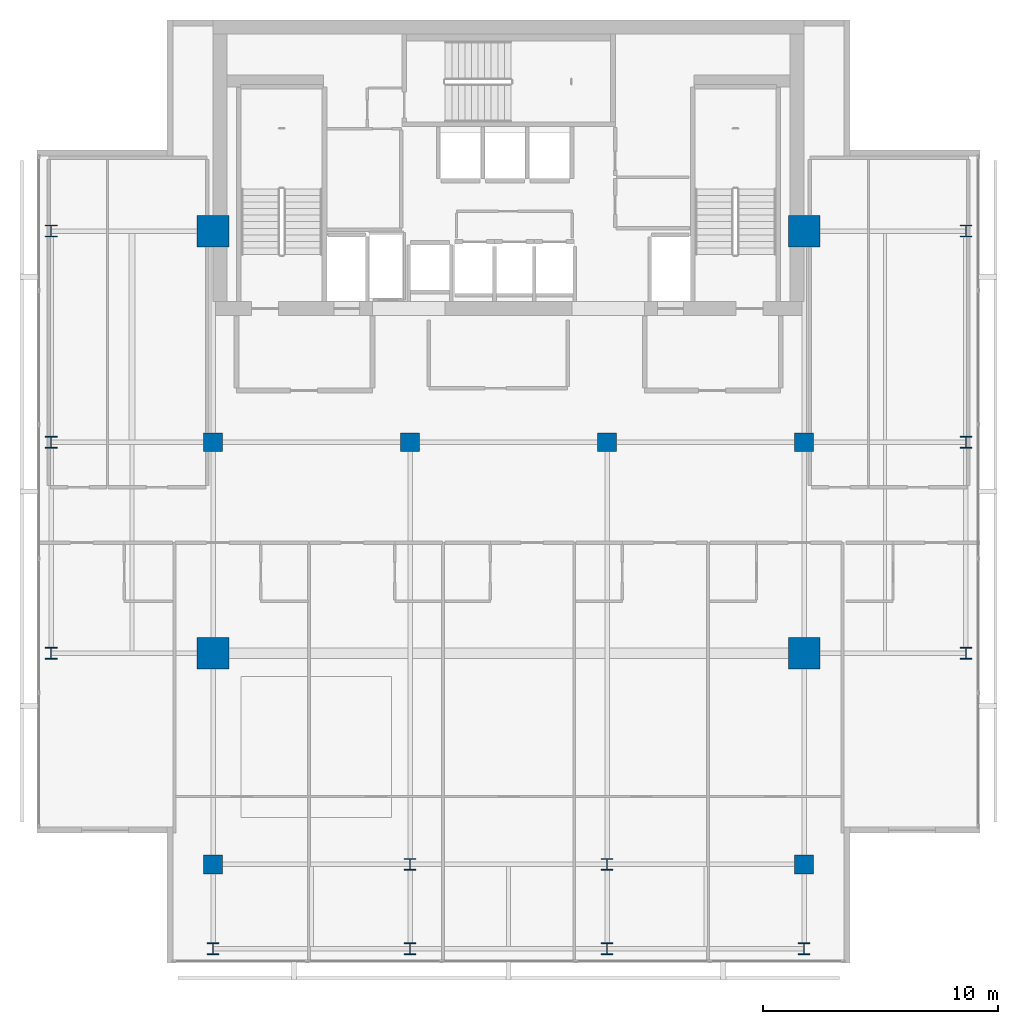
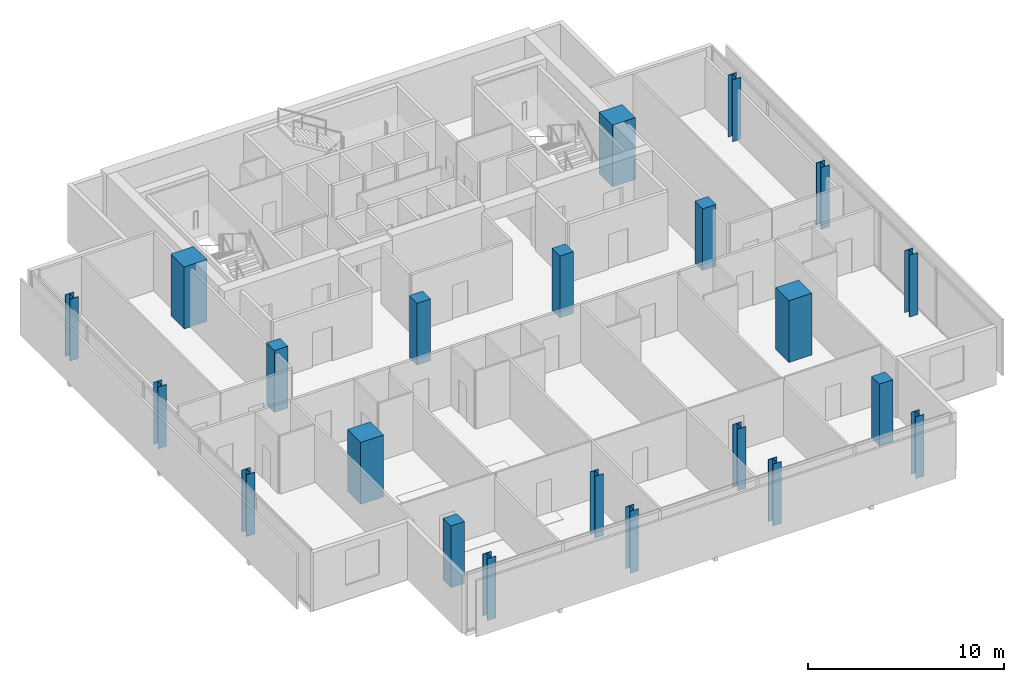
# One storey, part 1 of 24: 22 columns.
"""IFC4 building model written with IfcOpenShell, lengths in metres."""

from ifc_helpers import new_model, si_unit, direction, frame, origin, origin_2d, place, context, subcontext, project, spatial, rectangle, i_section, extrude, material, material_profile, profile_set, type_object, element, save


model = new_model("IFC4")

# Units and contexts
model_context = context("Model", 3, precision=1e-05, world=origin(), true_north=direction((0.0, 1.0)))
body_context = subcontext(model_context, "Body", "Model", "MODEL_VIEW")
ifc_project = project(units=[si_unit("LENGTHUNIT", "METRE"), si_unit("AREAUNIT", "SQUARE_METRE"), si_unit("VOLUMEUNIT", "CUBIC_METRE"), si_unit("PLANEANGLEUNIT", "RADIAN"), si_unit("MASSUNIT", "GRAM", prefix="KILO")], contexts=[model_context])

# Site, building, storey
site_placement = place(None, origin())
site = spatial("IfcSite", under=ifc_project, at=site_placement, CompositionType="ELEMENT")
building_placement = place(site_placement, origin())
building = spatial("IfcBuilding", under=site, at=building_placement, Name="Maruvema Waterfront Hotel and Observation Tower", CompositionType="ELEMENT")
storey_placement = place(building_placement, frame((0.0, 0.0, 329.699951171875)))
storey = spatial("IfcBuildingStorey", under=building, at=storey_placement, Name="L81", CompositionType="ELEMENT", Elevation=329.699951171875)

# Columns
ifc_material_1 = material(Name="Concrete C70/85", Category="concrete")
ifc_material_profile_1 = material_profile(ifc_material_1, rectangle(XDim=1.35009765625, YDim=1.35009765625, at=origin_2d()), Name="MC1350x1350")
ifc_profile_set_1 = profile_set([ifc_material_profile_1], Name="Concrete C70/85")
column_type_1 = type_object("IfcColumnType", Name="Continuous Mega-Column MC1350x1350", PredefinedType="COLUMN", material=ifc_profile_set_1)
for number, where, z_axis, x_axis, name in (
    (1, (25.199951171875, 27.0, 0.0), (0.0, 0.0, 1.0), (1.0, 0.0, 0.0), "L81 Continuous Mega-Column MC-01"),
    (2, (50.39990234375, 27.0, 0.0), (0.0, 0.0, 1.0), (1.0, 0.0, 0.0), "L81 Continuous Mega-Column MC-02"),
    (3, (25.199951171875, 45.0, 0.0), (0.0, 0.0, 1.0), (1.0, 0.0, 0.0), "L81 Continuous Mega-Column MC-03"),
    (4, (50.39990234375, 45.0, 0.0), (0.0, 0.0, 1.0), (1.0, 0.0, 0.0), "L81 Continuous Mega-Column MC-04"),
):
    element("IfcColumn", number, at=place(storey_placement, frame(where, z_axis=z_axis, x_axis=x_axis)), inside=storey, type_object=column_type_1, Name=name, PredefinedType="COLUMN", context=body_context, shape_type="SweptSolid", body=[
        extrude(rectangle(XDim=1.35009765625, YDim=1.35009765625, at=origin_2d()), origin(), (0.0, 0.0, 1.0), 3.85009765625),
    ])
ifc_material_2 = material(Name="Concrete C60/75", Category="concrete")
ifc_material_profile_2 = material_profile(ifc_material_2, rectangle(XDim=0.800048828125, YDim=0.800048828125, at=origin_2d()), Name="RC800x800")
ifc_profile_set_2 = profile_set([ifc_material_profile_2], Name="Concrete C60/75")
column_type_2 = type_object("IfcColumnType", Name="Reinforced Concrete Column RC800x800", PredefinedType="COLUMN", material=ifc_profile_set_2)
for number, where, z_axis, x_axis, name in (
    (5, (25.199951171875, 36.0, 0.0), (0.0, 0.0, 1.0), (1.0, 0.0, 0.0), "L81 Column C-4E"),
    (6, (33.60009765625, 36.0, 0.0), (0.0, 0.0, 1.0), (1.0, 0.0, 0.0), "L81 Column C-5E"),
    (7, (42.0, 36.0, 0.0), (0.0, 0.0, 1.0), (1.0, 0.0, 0.0), "L81 Column C-6E"),
    (8, (50.39990234375, 36.0, 0.0), (0.0, 0.0, 1.0), (1.0, 0.0, 0.0), "L81 Column C-7E"),
    (9, (25.199951171875, 18.0, 0.0), (0.0, 0.0, 1.0), (1.0, 0.0, 0.0), "L81 Column C-4C"),
    (10, (50.39990234375, 18.0, 0.0), (0.0, 0.0, 1.0), (1.0, 0.0, 0.0), "L81 Column C-7C"),
):
    element("IfcColumn", number, at=place(storey_placement, frame(where, z_axis=z_axis, x_axis=x_axis)), inside=storey, type_object=column_type_2, Name=name, PredefinedType="COLUMN", context=body_context, shape_type="SweptSolid", body=[
        extrude(rectangle(XDim=0.800048828125, YDim=0.800048828125, at=origin_2d()), origin(), (0.0, 0.0, 1.0), 3.85009765625),
    ])
ifc_material_3 = material(Name="Steel ABNT NBR 7007 AR 415 (ASTM A572 Grade 50)", Category="steel")
ifc_material_profile_3 = material_profile(ifc_material_3, i_section(OverallWidth=0.5, OverallDepth=0.5, WebThickness=0.02197265625, FlangeThickness=0.031982421875, at=origin_2d()), Name="CVS500x223")
ifc_profile_set_3 = profile_set([ifc_material_profile_3], Name="Steel ABNT NBR 7007 AR 415 (ASTM A572 Grade 50)")
column_type_3 = type_object("IfcColumnType", Name="Structural Steel Column CVS500x223", PredefinedType="COLUMN", material=ifc_profile_set_3)
for number, where, z_axis, x_axis, name in (
    (11, (33.60009765625, 18.0, 0.0), (0.0, 0.0, 1.0), (1.0, 0.0, 0.0), "L81 Column C-5C"),
    (12, (42.0, 18.0, 0.0), (0.0, 0.0, 1.0), (1.0, 0.0, 0.0), "L81 Column C-6C"),
    (13, (18.300048828125, 27.0, 0.0), (0.0, 0.0, 1.0), (1.0, 0.0, 0.0), "L81 Column C-Z4W27"),
    (14, (57.300048828125, 27.0, 0.0), (0.0, 0.0, 1.0), (1.0, 0.0, 0.0), "L81 Column C-Z4E27"),
    (15, (18.300048828125, 36.0, 0.0), (0.0, 0.0, 1.0), (1.0, 0.0, 0.0), "L81 Column C-Z4W36"),
    (16, (57.300048828125, 36.0, 0.0), (0.0, 0.0, 1.0), (1.0, 0.0, 0.0), "L81 Column C-Z4E36"),
    (17, (18.300048828125, 45.0, 0.0), (0.0, 0.0, 1.0), (1.0, 0.0, 0.0), "L81 Column C-Z4W45"),
    (18, (57.300048828125, 45.0, 0.0), (0.0, 0.0, 1.0), (1.0, 0.0, 0.0), "L81 Column C-Z4E45"),
    (19, (25.199951171875, 14.39990234375, 0.0), (0.0, 0.0, 1.0), (1.0, 0.0, 0.0), "L81 Column C-Z4S4"),
    (20, (33.60009765625, 14.39990234375, 0.0), (0.0, 0.0, 1.0), (1.0, 0.0, 0.0), "L81 Column C-Z4S5"),
    (21, (42.0, 14.39990234375, 0.0), (0.0, 0.0, 1.0), (1.0, 0.0, 0.0), "L81 Column C-Z4S6"),
    (22, (50.39990234375, 14.39990234375, 0.0), (0.0, 0.0, 1.0), (1.0, 0.0, 0.0), "L81 Column C-Z4S7"),
):
    element("IfcColumn", number, at=place(storey_placement, frame(where, z_axis=z_axis, x_axis=x_axis)), inside=storey, type_object=column_type_3, Name=name, PredefinedType="COLUMN", context=body_context, shape_type="SweptSolid", body=[
        extrude(i_section(OverallWidth=0.5, OverallDepth=0.5, WebThickness=0.02197265625, FlangeThickness=0.031982421875, at=origin_2d()), origin(), (0.0, 0.0, 1.0), 3.85009765625),
    ])

save(model, "model.ifc")
